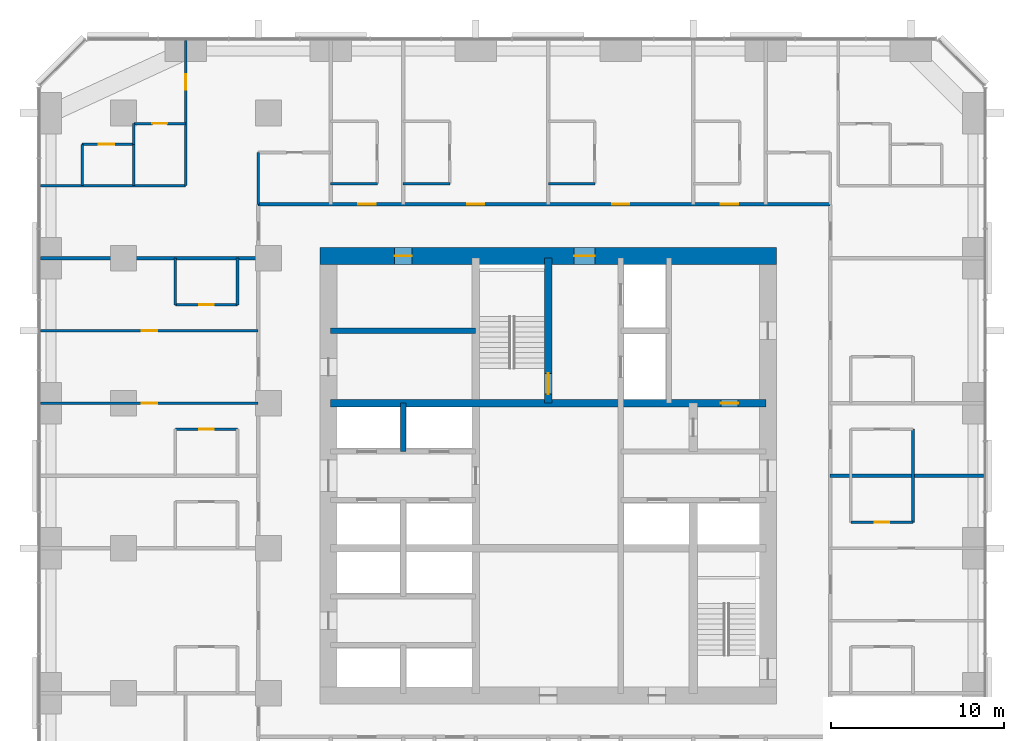
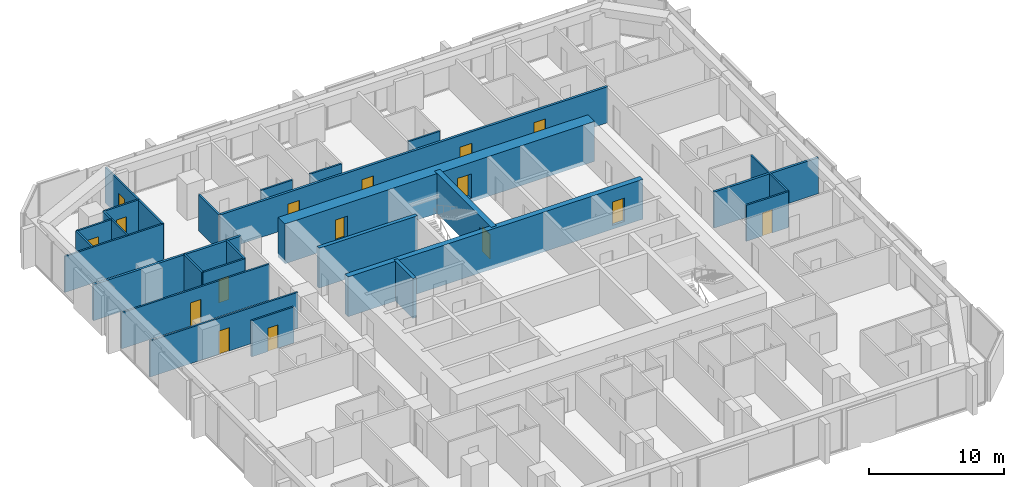
# One storey, part 11 of 14: 27 walls, 16 doors, 16 openings.
"""IFC4 building model written with IfcOpenShell, lengths in metres."""

from ifc_helpers import new_model, si_unit, direction, frame, frame_2d, origin, place, context, subcontext, project, spatial, rectangle, extrude, material, layer, layer_set, type_object, element, fill, save


model = new_model("IFC4")

# Units and contexts
model_context = context("Model", 3, precision=1e-05, world=origin(), true_north=direction((0.0, 1.0)))
body_context = subcontext(model_context, "Body", "Model", "MODEL_VIEW")
ifc_project = project(units=[si_unit("LENGTHUNIT", "METRE"), si_unit("AREAUNIT", "SQUARE_METRE"), si_unit("VOLUMEUNIT", "CUBIC_METRE"), si_unit("PLANEANGLEUNIT", "RADIAN"), si_unit("MASSUNIT", "GRAM", prefix="KILO")], contexts=[model_context])

# Site, building, storey
site_placement = place(None, origin())
site = spatial("IfcSite", under=ifc_project, at=site_placement, CompositionType="ELEMENT")
building_placement = place(site_placement, origin())
building = spatial("IfcBuilding", under=site, at=building_placement, Name="Dunama Terrace Hotel", CompositionType="ELEMENT")
storey_placement = place(building_placement, frame((0.0, 0.0, 133.199951171875)))
storey = spatial("IfcBuildingStorey", under=building, at=storey_placement, Name="L34", CompositionType="ELEMENT", Elevation=133.199951171875)

# Walls
ifc_material_1 = material(Name="Gypsum board partition", Category="masonry")
ifc_layer_1 = layer(ifc_material_1, 0.14990234375)
ifc_layer_set_1 = layer_set([ifc_layer_1], Name="Bathroom partition 150")
wall_type_1 = type_object("IfcWallType", Name="Bathroom partition 150", PredefinedType="PARTITIONING", material=ifc_layer_set_1)
wall_1_placement = place(storey_placement, frame((5.39990234375, 48.60009765625, 0.0), z_axis=(0.0, 0.0, 1.0), x_axis=(0.0, 1.0, 0.0)))
element("IfcWall", 1, at=wall_1_placement, inside=storey, type_object=wall_type_1, Name="Bathroom partition 150 L34", PredefinedType="PARTITIONING", context=body_context, shape_type="SweptSolid", body=[
    extrude(rectangle(XDim=1.199951171875, YDim=0.14990234375, at=frame_2d((0.60009765625, 0.0))), origin(), (0.0, 0.0, 1.0), 3.25),
])
for number, where, z_axis, x_axis, name in (
    (2, (7.800048828125, 39.300048828125, 0.0), (0.0, 0.0, 1.0), (0.0, 1.0, 0.0), "Bathroom partition 150 L34"),
    (3, (11.39990234375, 39.300048828125, 0.0), (0.0, 0.0, 1.0), (0.0, 1.0, 0.0), "Bathroom partition 150 L34"),
):
    element("IfcWall", number, at=place(storey_placement, frame(where, z_axis=z_axis, x_axis=x_axis)), inside=storey, type_object=wall_type_1, Name=name, PredefinedType="PARTITIONING", context=body_context, shape_type="SweptSolid", body=[
        extrude(rectangle(XDim=2.699951171875, YDim=0.14990234375, at=frame_2d((1.35009765625, 0.0))), origin(), (0.0, 0.0, 1.0), 3.25),
    ])
wall_2_placement = place(storey_placement, frame((12.60009765625, 45.125, 0.0), z_axis=(0.0, 0.0, 1.0), x_axis=(0.0, 1.0, 0.0)))
element("IfcWall", 4, at=wall_2_placement, inside=storey, type_object=wall_type_1, Name="Bathroom partition 150 L34", PredefinedType="PARTITIONING", context=body_context, shape_type="SweptSolid", body=[
    extrude(rectangle(XDim=3.0, YDim=0.14990234375, at=frame_2d((1.5, 0.0))), origin(), (0.0, 0.0, 1.0), 3.25),
])
wall_3_placement = place(storey_placement, frame((50.52490234375, 26.699951171875, 0.0), z_axis=(0.0, 0.0, 1.0), x_axis=(0.0, 1.0, 0.0)))
element("IfcWall", 5, at=wall_3_placement, inside=storey, type_object=wall_type_1, Name="Bathroom partition 150 L34", PredefinedType="PARTITIONING", context=body_context, shape_type="SweptSolid", body=[
    extrude(rectangle(XDim=5.400146484375, YDim=0.14990234375, at=frame_2d((2.7001953125, 0.0))), origin(), (0.0, 0.0, 1.0), 3.25),
])

# Wall, opening, door
wall_4_placement = place(storey_placement, frame((46.925048828125, 26.699951171875, 0.0), z_axis=(0.0, 0.0, 1.0), x_axis=(1.0, 0.0, 0.0)))
wall_4 = element("IfcWall", 6, at=wall_4_placement, inside=storey, type_object=wall_type_1, Name="Bathroom partition 150 L34", PredefinedType="PARTITIONING", context=body_context, shape_type="SweptSolid", body=[
    extrude(rectangle(XDim=3.599853515625, YDim=0.14990234375, at=frame_2d((1.7998046875, 0.0))), origin(), (0.0, 0.0, 1.0), 3.25),
])
opening_1_placement = place(wall_4_placement, frame((1.375, 0.0, 0.0)))
opening_1 = element("IfcOpeningElement", 7, at=opening_1_placement, cuts=wall_4, Name="Opening L34-36-027", PredefinedType="OPENING", context=body_context, shape_type="SweptSolid", body=[
    extrude(rectangle(XDim=0.85009765625, YDim=2.10009765625, at=frame_2d((0.425048828125, 1.050048828125))), frame((0.0, 0.0849609375, 0.0), z_axis=(0.0, -1.0, 0.0), x_axis=(1.0, 0.0, 0.0)), (0.0, 0.0, 1.0), 0.169921875),
])
ifc_material_2 = material(Name="Timber door with steel frame", Category="steel")
door_type_1 = type_object("IfcDoorType", Name="Bathroom door 850", OperationType="SINGLE_SWING_LEFT", PredefinedType="DOOR", material=ifc_material_2)
door_1_placement = place(opening_1_placement, origin())
door_1 = element("IfcDoor", 8, at=door_1_placement, inside=storey, type_object=door_type_1, Name="Door to en-suite bathroom L34-36-027, type D2", OperationType="SINGLE_SWING_LEFT", OverallHeight=2.10009765625, OverallWidth=0.85009765625, PredefinedType="DOOR", context=body_context, shape_type="SweptSolid", body=[
    extrude(rectangle(XDim=0.85009765625, YDim=2.10009765625, at=frame_2d((0.425048828125, 1.050048828125))), frame((0.0, 0.02490234375, 0.0), z_axis=(0.0, -1.0, 0.0), x_axis=(1.0, 0.0, 0.0)), (0.0, 0.0, 1.0), 0.050048828125),
])
fill(opening_1, door_1)

wall_5_placement = place(storey_placement, frame((7.800048828125, 32.10009765625, 0.0), z_axis=(0.0, 0.0, 1.0), x_axis=(1.0, 0.0, 0.0)))
wall_5 = element("IfcWall", 9, at=wall_5_placement, inside=storey, type_object=wall_type_1, Name="Bathroom partition 150 L34", PredefinedType="PARTITIONING", context=body_context, shape_type="SweptSolid", body=[
    extrude(rectangle(XDim=3.599853515625, YDim=0.14990234375, at=frame_2d((1.7998046875, 0.0))), origin(), (0.0, 0.0, 1.0), 3.25),
])
opening_2_placement = place(wall_5_placement, frame((1.375, 0.0, 0.0)))
opening_2 = element("IfcOpeningElement", 10, at=opening_2_placement, cuts=wall_5, Name="Opening L34-36-046", PredefinedType="OPENING", context=body_context, shape_type="SweptSolid", body=[
    extrude(rectangle(XDim=0.85009765625, YDim=2.10009765625, at=frame_2d((0.425048828125, 1.050048828125))), frame((0.0, 0.0849609375, 0.0), z_axis=(0.0, -1.0, 0.0), x_axis=(1.0, 0.0, 0.0)), (0.0, 0.0, 1.0), 0.169921875),
])
door_2_placement = place(opening_2_placement, frame((0.85009765625, 0.0, 0.0), z_axis=(0.0, 0.0, 1.0), x_axis=(-1.0, 0.0, 0.0)))
door_2 = element("IfcDoor", 11, at=door_2_placement, inside=storey, type_object=door_type_1, Name="Door to en-suite bathroom L34-36-046, type D2", OperationType="SINGLE_SWING_RIGHT", OverallHeight=2.10009765625, OverallWidth=0.85009765625, PredefinedType="DOOR", context=body_context, shape_type="SweptSolid", body=[
    extrude(rectangle(XDim=0.85009765625, YDim=2.10009765625, at=frame_2d((0.425048828125, 1.050048828125))), frame((0.0, 0.025146484375, 0.0), z_axis=(0.0, -1.0, 0.0), x_axis=(1.0, 0.0, 0.0)), (0.0, 0.0, 1.0), 0.050048828125),
])
fill(opening_2, door_2)

wall_6_placement = place(storey_placement, frame((7.800048828125, 39.300048828125, 0.0), z_axis=(0.0, 0.0, 1.0), x_axis=(1.0, 0.0, 0.0)))
wall_6 = element("IfcWall", 12, at=wall_6_placement, inside=storey, type_object=wall_type_1, Name="Bathroom partition 150 L34", PredefinedType="PARTITIONING", context=body_context, shape_type="SweptSolid", body=[
    extrude(rectangle(XDim=3.599853515625, YDim=0.14990234375, at=frame_2d((1.7998046875, 0.0))), origin(), (0.0, 0.0, 1.0), 3.25),
])
opening_3_placement = place(wall_6_placement, frame((1.375, 0.0, 0.0)))
opening_3 = element("IfcOpeningElement", 13, at=opening_3_placement, cuts=wall_6, Name="Opening L34-36-048", PredefinedType="OPENING", context=body_context, shape_type="SweptSolid", body=[
    extrude(rectangle(XDim=0.85009765625, YDim=2.10009765625, at=frame_2d((0.425048828125, 1.050048828125))), frame((0.0, 0.0849609375, 0.0), z_axis=(0.0, -1.0, 0.0), x_axis=(1.0, 0.0, 0.0)), (0.0, 0.0, 1.0), 0.169921875),
])
door_3_placement = place(opening_3_placement, origin())
door_3 = element("IfcDoor", 14, at=door_3_placement, inside=storey, type_object=door_type_1, Name="Door to en-suite bathroom L34-36-048, type D2", OperationType="SINGLE_SWING_LEFT", OverallHeight=2.10009765625, OverallWidth=0.85009765625, PredefinedType="DOOR", context=body_context, shape_type="SweptSolid", body=[
    extrude(rectangle(XDim=0.85009765625, YDim=2.10009765625, at=frame_2d((0.425048828125, 1.050048828125))), frame((0.0, 0.02490234375, 0.0), z_axis=(0.0, -1.0, 0.0), x_axis=(1.0, 0.0, 0.0)), (0.0, 0.0, 1.0), 0.050048828125),
])
fill(opening_3, door_3)

# Walls
for number, where, z_axis, x_axis, name in (
    (15, (16.800048828125, 46.324951171875, 0.0), (0.0, 0.0, 1.0), (1.0, 0.0, 0.0), "Bathroom partition 150 L34"),
    (16, (21.0, 46.324951171875, 0.0), (0.0, 0.0, 1.0), (1.0, 0.0, 0.0), "Bathroom partition 150 L34"),
):
    element("IfcWall", number, at=place(storey_placement, frame(where, z_axis=z_axis, x_axis=x_axis)), inside=storey, type_object=wall_type_1, Name=name, PredefinedType="PARTITIONING", context=body_context, shape_type="SweptSolid", body=[
        extrude(rectangle(XDim=2.699951171875, YDim=0.14990234375, at=frame_2d((1.35009765625, 0.0))), origin(), (0.0, 0.0, 1.0), 3.25),
    ])
wall_7_placement = place(storey_placement, frame((29.39990234375, 46.324951171875, 0.0), z_axis=(0.0, 0.0, 1.0), x_axis=(1.0, 0.0, 0.0)))
element("IfcWall", 17, at=wall_7_placement, inside=storey, type_object=wall_type_1, Name="Bathroom partition 150 L34", PredefinedType="PARTITIONING", context=body_context, shape_type="SweptSolid", body=[
    extrude(rectangle(XDim=2.7001953125, YDim=0.14990234375, at=frame_2d((1.35009765625, 0.0))), origin(), (0.0, 0.0, 1.0), 3.25),
])

# Wall, opening, door
wall_8_placement = place(storey_placement, frame((5.39990234375, 49.800048828125, 0.0), z_axis=(0.0, 0.0, 1.0), x_axis=(1.0, 0.0, 0.0)))
wall_8 = element("IfcWall", 18, at=wall_8_placement, inside=storey, type_object=wall_type_1, Name="Bathroom partition 150 L34", PredefinedType="PARTITIONING", context=body_context, shape_type="SweptSolid", body=[
    extrude(rectangle(XDim=3.0, YDim=0.14990234375, at=frame_2d((1.5, 0.0))), origin(), (0.0, 0.0, 1.0), 3.25),
])
opening_4_placement = place(wall_8_placement, frame((1.074951171875, 0.0, 0.0)))
opening_4 = element("IfcOpeningElement", 19, at=opening_4_placement, cuts=wall_8, Name="Opening L34-36-068", PredefinedType="OPENING", context=body_context, shape_type="SweptSolid", body=[
    extrude(rectangle(XDim=0.85009765625, YDim=2.10009765625, at=frame_2d((0.425048828125, 1.050048828125))), frame((0.0, 0.0849609375, 0.0), z_axis=(0.0, -1.0, 0.0), x_axis=(1.0, 0.0, 0.0)), (0.0, 0.0, 1.0), 0.169921875),
])
door_4_placement = place(opening_4_placement, frame((0.85009765625, 0.0, 0.0), z_axis=(0.0, 0.0, 1.0), x_axis=(-1.0, 0.0, 0.0)))
door_4 = element("IfcDoor", 20, at=door_4_placement, inside=storey, type_object=door_type_1, Name="Door to en-suite bathroom L34-36-068, type D2", OperationType="SINGLE_SWING_RIGHT", OverallHeight=2.10009765625, OverallWidth=0.85009765625, PredefinedType="DOOR", context=body_context, shape_type="SweptSolid", body=[
    extrude(rectangle(XDim=0.85009765625, YDim=2.10009765625, at=frame_2d((0.425048828125, 1.050048828125))), frame((0.0, 0.025146484375, 0.0), z_axis=(0.0, -1.0, 0.0), x_axis=(1.0, 0.0, 0.0)), (0.0, 0.0, 1.0), 0.050048828125),
])
fill(opening_4, door_4)

# Walls
ifc_material_3 = material(Name="Concrete C50/60", Category="concrete")
ifc_layer_2 = layer(ifc_material_3, 0.300048828125)
ifc_layer_set_2 = layer_set([ifc_layer_2], Name="Core inner wall 300")
wall_type_2 = type_object("IfcWallType", Name="Core inner wall 300", PredefinedType="SHEAR", material=ifc_layer_set_2)
wall_9_placement = place(storey_placement, frame((21.0, 30.800048828125, -0.349853515625), z_axis=(0.0, 0.0, 1.0), x_axis=(0.0, 1.0, 0.0)))
element("IfcWall", 21, at=wall_9_placement, inside=storey, type_object=wall_type_2, Name="Core inner wall 300 L34", PredefinedType="SHEAR", context=body_context, shape_type="SweptSolid", body=[
    extrude(rectangle(XDim=2.800048828125, YDim=0.300048828125, at=frame_2d((1.39990234375, 0.0))), origin(), (0.0, 0.0, 1.0), 3.599853515625),
])
wall_10_placement = place(storey_placement, frame((16.800048828125, 37.800048828125, -0.349853515625), z_axis=(0.0, 0.0, 1.0), x_axis=(1.0, 0.0, 0.0)))
element("IfcWall", 22, at=wall_10_placement, inside=storey, type_object=wall_type_2, Name="Core inner wall 300 L34", PredefinedType="SHEAR", context=body_context, shape_type="SweptSolid", body=[
    extrude(rectangle(XDim=8.39990234375, YDim=0.300048828125, at=frame_2d((4.199951171875, 0.0))), origin(), (0.0, 0.0, 1.0), 3.599853515625),
])

# Wall, opening, door
ifc_material_4 = material(Name="Concrete C50/60", Category="concrete")
ifc_layer_3 = layer(ifc_material_4, 0.449951171875)
ifc_layer_set_3 = layer_set([ifc_layer_3], Name="Core inner wall 450")
wall_type_3 = type_object("IfcWallType", Name="Core inner wall 450", PredefinedType="SHEAR", material=ifc_layer_set_3)
wall_11_placement = place(storey_placement, frame((29.39990234375, 33.60009765625, -0.349853515625), z_axis=(0.0, 0.0, 1.0), x_axis=(0.0, 1.0, 0.0)))
wall_11 = element("IfcWall", 23, at=wall_11_placement, inside=storey, type_object=wall_type_3, Name="Core inner wall 450 L34", PredefinedType="SHEAR", context=body_context, shape_type="SweptSolid", body=[
    extrude(rectangle(XDim=8.39990234375, YDim=0.449951171875, at=frame_2d((4.199951171875, 0.0))), origin(), (0.0, 0.0, 1.0), 3.599853515625),
])
opening_5_placement = place(wall_11_placement, frame((0.52490234375, 0.0, 0.35009765625)))
opening_5 = element("IfcOpeningElement", 24, at=opening_5_placement, cuts=wall_11, Name="Opening L34-36-001", PredefinedType="OPENING", context=body_context, shape_type="SweptSolid", body=[
    extrude(rectangle(XDim=1.199951171875, YDim=2.199951171875, at=frame_2d((0.60009765625, 1.10009765625))), frame((0.0, 0.23486328125, 0.0), z_axis=(0.0, -1.0, 0.0), x_axis=(1.0, 0.0, 0.0)), (0.0, 0.0, 1.0), 0.469970703125),
])
ifc_material_5 = material(Name="Timber door with steel frame", Category="steel")
door_type_2 = type_object("IfcDoorType", Name="Stair door 1200", OperationType="SINGLE_SWING_LEFT", PredefinedType="DOOR", material=ifc_material_5)
door_5_placement = place(opening_5_placement, origin())
door_5 = element("IfcDoor", 25, at=door_5_placement, inside=storey, type_object=door_type_2, Name="Stair door ST1 L34-36-001, type D5", OperationType="SINGLE_SWING_LEFT", OverallHeight=2.199951171875, OverallWidth=1.199951171875, PredefinedType="DOOR", context=body_context, shape_type="SweptSolid", body=[
    extrude(rectangle(XDim=1.199951171875, YDim=2.199951171875, at=frame_2d((0.60009765625, 1.10009765625))), frame((0.0, 0.02490234375, 0.0), z_axis=(0.0, -1.0, 0.0), x_axis=(1.0, 0.0, 0.0)), (0.0, 0.0, 1.0), 0.050048828125),
])
fill(opening_5, door_5)

wall_12_placement = place(storey_placement, frame((16.800048828125, 33.60009765625, -0.349853515625), z_axis=(0.0, 0.0, 1.0), x_axis=(1.0, 0.0, 0.0)))
wall_12 = element("IfcWall", 26, at=wall_12_placement, inside=storey, type_object=wall_type_3, Name="Core inner wall 450 L34", PredefinedType="SHEAR", context=body_context, shape_type="SweptSolid", body=[
    extrude(rectangle(XDim=25.199951171875, YDim=0.449951171875, at=frame_2d((12.60009765625, 0.0))), origin(), (0.0, 0.0, 1.0), 3.599853515625),
])
opening_6_placement = place(wall_12_placement, frame((22.60009765625, 0.0, 0.35009765625)))
opening_6 = element("IfcOpeningElement", 27, at=opening_6_placement, cuts=wall_12, Name="Opening L34-36-076", PredefinedType="OPENING", context=body_context, shape_type="SweptSolid", body=[
    extrude(rectangle(XDim=1.0, YDim=2.10009765625, at=frame_2d((0.5, 1.050048828125))), frame((0.0, 0.23486328125, 0.0), z_axis=(0.0, -1.0, 0.0), x_axis=(1.0, 0.0, 0.0)), (0.0, 0.0, 1.0), 0.469970703125),
])
ifc_material_6 = material(Name="Timber door with steel frame", Category="steel")
door_type_3 = type_object("IfcDoorType", Name="Service door 1000", OperationType="SINGLE_SWING_LEFT", PredefinedType="DOOR", material=ifc_material_6)
door_6_placement = place(opening_6_placement, frame((1.0, 0.0, 0.0), z_axis=(0.0, 0.0, 1.0), x_axis=(-1.0, 0.0, 0.0)))
door_6 = element("IfcDoor", 28, at=door_6_placement, inside=storey, type_object=door_type_3, Name="Door to housekeeping and linen store L34-36-076, type D7", OperationType="SINGLE_SWING_LEFT", OverallHeight=2.10009765625, OverallWidth=1.0, PredefinedType="DOOR", context=body_context, shape_type="SweptSolid", body=[
    extrude(rectangle(XDim=1.0, YDim=2.10009765625, at=frame_2d((0.5, 1.050048828125))), frame((0.0, 0.025146484375, 0.0), z_axis=(0.0, -1.0, 0.0), x_axis=(1.0, 0.0, 0.0)), (0.0, 0.0, 1.0), 0.050048828125),
])
fill(opening_6, door_6)

# Wall, openings, doors
ifc_material_7 = material(Name="Concrete C60/75", Category="concrete")
ifc_layer_4 = layer(ifc_material_7, 1.0)
ifc_layer_set_4 = layer_set([ifc_layer_4], Name="Core wall 1000")
wall_type_4 = type_object("IfcWallType", Name="Core wall 1000", PredefinedType="SHEAR", material=ifc_layer_set_4)
wall_13_placement = place(storey_placement, frame((42.625, 42.125, -0.349853515625), z_axis=(0.0, 0.0, 1.0), x_axis=(-1.0, 0.0, 0.0)))
wall_13 = element("IfcWall", 29, at=wall_13_placement, inside=storey, type_object=wall_type_4, Name="Core wall north L34", PredefinedType="SHEAR", context=body_context, shape_type="SweptSolid", body=[
    extrude(rectangle(XDim=26.449951171875, YDim=1.0, at=frame_2d((13.22509765625, 0.0))), origin(), (0.0, 0.0, 1.0), 3.599853515625),
])
opening_7_placement = place(wall_13_placement, frame((21.125, 0.0, 0.35009765625)))
opening_7 = element("IfcOpeningElement", 30, at=opening_7_placement, cuts=wall_13, Name="Opening L34-36-073", PredefinedType="OPENING", context=body_context, shape_type="SweptSolid", body=[
    extrude(rectangle(XDim=1.0, YDim=2.10009765625, at=frame_2d((0.5, 1.050048828125))), frame((0.0, 0.510009765625, 0.0), z_axis=(0.0, -1.0, 0.0), x_axis=(1.0, 0.0, 0.0)), (0.0, 0.0, 1.0), 1.02001953125),
])
opening_8_placement = place(wall_13_placement, frame((10.52490234375, 0.0, 0.35009765625)))
opening_8 = element("IfcOpeningElement", 31, at=opening_8_placement, cuts=wall_13, Name="Opening L34-36-078", PredefinedType="OPENING", context=body_context, shape_type="SweptSolid", body=[
    extrude(rectangle(XDim=1.199951171875, YDim=2.199951171875, at=frame_2d((0.60009765625, 1.10009765625))), frame((0.0, 0.510009765625, 0.0), z_axis=(0.0, -1.0, 0.0), x_axis=(1.0, 0.0, 0.0)), (0.0, 0.0, 1.0), 1.02001953125),
])
ifc_material_8 = material(Name="Timber door with steel frame", Category="steel")
door_type_4 = type_object("IfcDoorType", Name="Firefighting lobby door 1200", OperationType="SINGLE_SWING_LEFT", PredefinedType="DOOR", material=ifc_material_8)
door_7_placement = place(opening_8_placement, origin())
door_7 = element("IfcDoor", 32, at=door_7_placement, inside=storey, type_object=door_type_4, Name="Door to firefighting lobby L34-36-078, type D4", OperationType="SINGLE_SWING_RIGHT", OverallHeight=2.199951171875, OverallWidth=1.199951171875, PredefinedType="DOOR", context=body_context, shape_type="SweptSolid", body=[
    extrude(rectangle(XDim=1.199951171875, YDim=2.199951171875, at=frame_2d((0.60009765625, 1.10009765625))), frame((0.0, 0.02490234375, 0.0), z_axis=(0.0, -1.0, 0.0), x_axis=(1.0, 0.0, 0.0)), (0.0, 0.0, 1.0), 0.050048828125),
])
fill(opening_8, door_7)
door_8_placement = place(opening_7_placement, origin())
door_8 = element("IfcDoor", 33, at=door_8_placement, inside=storey, type_object=door_type_3, Name="Door to communications and riser room L34-36-073, type D7", OperationType="SINGLE_SWING_LEFT", OverallHeight=2.10009765625, OverallWidth=1.0, PredefinedType="DOOR", context=body_context, shape_type="SweptSolid", body=[
    extrude(rectangle(XDim=1.0, YDim=2.10009765625, at=frame_2d((0.5, 1.050048828125))), frame((0.0, 0.02490234375, 0.0), z_axis=(0.0, -1.0, 0.0), x_axis=(1.0, 0.0, 0.0)), (0.0, 0.0, 1.0), 0.050048828125),
])
fill(opening_7, door_8)

ifc_material_9 = material(Name="Concrete blockwork", Category="masonry")
ifc_layer_5 = layer(ifc_material_9, 0.199951171875)
ifc_layer_set_5 = layer_set([ifc_layer_5], Name="Corridor partition 200")
wall_type_5 = type_object("IfcWallType", Name="Corridor partition 200", PredefinedType="PARTITIONING", material=ifc_layer_set_5)
wall_14_placement = place(storey_placement, frame((12.60009765625, 45.125, 0.0), z_axis=(0.0, 0.0, 1.0), x_axis=(1.0, 0.0, 0.0)))
wall_14 = element("IfcWall", 34, at=wall_14_placement, inside=storey, type_object=wall_type_5, Name="Corridor partition 200 L34", PredefinedType="PARTITIONING", context=body_context, shape_type="SweptSolid", body=[
    extrude(rectangle(XDim=33.125, YDim=0.199951171875, at=frame_2d((16.5625, 0.0))), origin(), (0.0, 0.0, 1.0), 3.25),
])
opening_9_placement = place(wall_14_placement, frame((5.800048828125, 0.0, 0.0)))
opening_9 = element("IfcOpeningElement", 35, at=opening_9_placement, cuts=wall_14, Name="Opening L34-36-032", PredefinedType="OPENING", context=body_context, shape_type="SweptSolid", body=[
    extrude(rectangle(XDim=1.0, YDim=2.199951171875, at=frame_2d((0.5, 1.10009765625))), frame((0.0, 0.10986328125, 0.0), z_axis=(0.0, -1.0, 0.0), x_axis=(1.0, 0.0, 0.0)), (0.0, 0.0, 1.0), 0.219970703125),
])
opening_10_placement = place(wall_14_placement, frame((12.10009765625, 0.0, 0.0)))
opening_10 = element("IfcOpeningElement", 36, at=opening_10_placement, cuts=wall_14, Name="Opening L34-36-034", PredefinedType="OPENING", context=body_context, shape_type="SweptSolid", body=[
    extrude(rectangle(XDim=1.0, YDim=2.199951171875, at=frame_2d((0.5, 1.10009765625))), frame((0.0, 0.10986328125, 0.0), z_axis=(0.0, -1.0, 0.0), x_axis=(1.0, 0.0, 0.0)), (0.0, 0.0, 1.0), 0.219970703125),
])
opening_11_placement = place(wall_14_placement, frame((20.5, 0.0, 0.0)))
opening_11 = element("IfcOpeningElement", 37, at=opening_11_placement, cuts=wall_14, Name="Opening L34-36-036", PredefinedType="OPENING", context=body_context, shape_type="SweptSolid", body=[
    extrude(rectangle(XDim=1.0, YDim=2.199951171875, at=frame_2d((0.5, 1.10009765625))), frame((0.0, 0.10986328125, 0.0), z_axis=(0.0, -1.0, 0.0), x_axis=(1.0, 0.0, 0.0)), (0.0, 0.0, 1.0), 0.219970703125),
])
opening_12_placement = place(wall_14_placement, frame((26.800048828125, 0.0, 0.0)))
opening_12 = element("IfcOpeningElement", 38, at=opening_12_placement, cuts=wall_14, Name="Opening L34-36-038", PredefinedType="OPENING", context=body_context, shape_type="SweptSolid", body=[
    extrude(rectangle(XDim=1.0, YDim=2.199951171875, at=frame_2d((0.5, 1.10009765625))), frame((0.0, 0.10986328125, 0.0), z_axis=(0.0, -1.0, 0.0), x_axis=(1.0, 0.0, 0.0)), (0.0, 0.0, 1.0), 0.219970703125),
])
ifc_material_10 = material(Name="Timber door with steel frame", Category="steel")
door_type_5 = type_object("IfcDoorType", Name="Guest room door 1000", OperationType="SINGLE_SWING_LEFT", PredefinedType="DOOR", material=ifc_material_10)
door_9_placement = place(opening_9_placement, origin())
door_9 = element("IfcDoor", 39, at=door_9_placement, inside=storey, type_object=door_type_5, Name="Door to premier room L34-36-032, type D1", OperationType="SINGLE_SWING_LEFT", OverallHeight=2.199951171875, OverallWidth=1.0, PredefinedType="DOOR", context=body_context, shape_type="SweptSolid", body=[
    extrude(rectangle(XDim=1.0, YDim=2.199951171875, at=frame_2d((0.5, 1.10009765625))), frame((0.0, 0.02490234375, 0.0), z_axis=(0.0, -1.0, 0.0), x_axis=(1.0, 0.0, 0.0)), (0.0, 0.0, 1.0), 0.050048828125),
])
fill(opening_9, door_9)
door_10_placement = place(opening_10_placement, origin())
door_10 = element("IfcDoor", 40, at=door_10_placement, inside=storey, type_object=door_type_5, Name="Door to junior suite L34-36-034, type D1", OperationType="SINGLE_SWING_LEFT", OverallHeight=2.199951171875, OverallWidth=1.0, PredefinedType="DOOR", context=body_context, shape_type="SweptSolid", body=[
    extrude(rectangle(XDim=1.0, YDim=2.199951171875, at=frame_2d((0.5, 1.10009765625))), frame((0.0, 0.02490234375, 0.0), z_axis=(0.0, -1.0, 0.0), x_axis=(1.0, 0.0, 0.0)), (0.0, 0.0, 1.0), 0.050048828125),
])
fill(opening_10, door_10)
door_11_placement = place(opening_11_placement, origin())
door_11 = element("IfcDoor", 41, at=door_11_placement, inside=storey, type_object=door_type_5, Name="Door to junior suite L34-36-036, type D1", OperationType="SINGLE_SWING_LEFT", OverallHeight=2.199951171875, OverallWidth=1.0, PredefinedType="DOOR", context=body_context, shape_type="SweptSolid", body=[
    extrude(rectangle(XDim=1.0, YDim=2.199951171875, at=frame_2d((0.5, 1.10009765625))), frame((0.0, 0.02490234375, 0.0), z_axis=(0.0, -1.0, 0.0), x_axis=(1.0, 0.0, 0.0)), (0.0, 0.0, 1.0), 0.050048828125),
])
fill(opening_11, door_11)
door_12_placement = place(opening_12_placement, origin())
door_12 = element("IfcDoor", 42, at=door_12_placement, inside=storey, type_object=door_type_5, Name="Door to premier room L34-36-038, type D1", OperationType="SINGLE_SWING_LEFT", OverallHeight=2.199951171875, OverallWidth=1.0, PredefinedType="DOOR", context=body_context, shape_type="SweptSolid", body=[
    extrude(rectangle(XDim=1.0, YDim=2.199951171875, at=frame_2d((0.5, 1.10009765625))), frame((0.0, 0.02490234375, 0.0), z_axis=(0.0, -1.0, 0.0), x_axis=(1.0, 0.0, 0.0)), (0.0, 0.0, 1.0), 0.050048828125),
])
fill(opening_12, door_12)

# Walls
ifc_material_11 = material(Name="Concrete blockwork", Category="masonry")
ifc_layer_6 = layer(ifc_material_11, 0.199951171875)
ifc_layer_set_6 = layer_set([ifc_layer_6], Name="Party wall 200")
wall_type_6 = type_object("IfcWallType", Name="Party wall 200", PredefinedType="PARTITIONING", material=ifc_layer_set_6)
wall_15_placement = place(storey_placement, frame((45.72509765625, 29.39990234375, 0.0), z_axis=(0.0, 0.0, 1.0), x_axis=(1.0, 0.0, 0.0)))
element("IfcWall", 43, at=wall_15_placement, inside=storey, type_object=wall_type_6, Name="Party wall 200 L34", PredefinedType="PARTITIONING", context=body_context, shape_type="SweptSolid", body=[
    extrude(rectangle(XDim=8.892822265625, YDim=0.199951171875, at=frame_2d((4.4462890625, 0.0))), origin(), (0.0, 0.0, 1.0), 3.25),
])
wall_16_placement = place(storey_placement, frame((-0.01806640625, 42.0, 0.0), z_axis=(0.0, 0.0, 1.0), x_axis=(1.0, 0.0, 0.0)))
element("IfcWall", 44, at=wall_16_placement, inside=storey, type_object=wall_type_6, Name="Party wall 200 L34", PredefinedType="PARTITIONING", context=body_context, shape_type="SweptSolid", body=[
    extrude(rectangle(XDim=12.6181640625, YDim=0.199951171875, at=frame_2d((6.30908203125, 0.0))), origin(), (0.0, 0.0, 1.0), 3.25),
])
ifc_material_12 = material(Name="Gypsum board partition", Category="masonry")
ifc_layer_7 = layer(ifc_material_12, 0.14990234375)
ifc_layer_set_7 = layer_set([ifc_layer_7], Name="Room partition 150")
wall_type_7 = type_object("IfcWallType", Name="Room partition 150", PredefinedType="PARTITIONING", material=ifc_layer_set_7)
for number, where, z_axis, x_axis, name in (
    (45, (2.39990234375, 46.199951171875, 0.0), (0.0, 0.0, 1.0), (0.0, 1.0, 0.0), "Room partition 150 L34"),
    (46, (5.39990234375, 46.199951171875, 0.0), (0.0, 0.0, 1.0), (0.0, 1.0, 0.0), "Room partition 150 L34"),
):
    element("IfcWall", number, at=place(storey_placement, frame(where, z_axis=z_axis, x_axis=x_axis)), inside=storey, type_object=wall_type_7, Name=name, PredefinedType="PARTITIONING", context=body_context, shape_type="SweptSolid", body=[
        extrude(rectangle(XDim=2.400146484375, YDim=0.14990234375, at=frame_2d((1.2001953125, 0.0))), origin(), (0.0, 0.0, 1.0), 3.25),
    ])

# Wall, opening, door
wall_17_placement = place(storey_placement, frame((8.39990234375, 46.199951171875, 0.0), z_axis=(0.0, 0.0, 1.0), x_axis=(0.0, 1.0, 0.0)))
wall_17 = element("IfcWall", 47, at=wall_17_placement, inside=storey, type_object=wall_type_7, Name="Room partition 150 L34", PredefinedType="PARTITIONING", context=body_context, shape_type="SweptSolid", body=[
    extrude(rectangle(XDim=8.41796875, YDim=0.14990234375, at=frame_2d((4.208984375, 0.0))), origin(), (0.0, 0.0, 1.0), 3.25),
])
opening_13_placement = place(wall_17_placement, frame((5.550048828125, 0.0, 0.0)))
opening_13 = element("IfcOpeningElement", 48, at=opening_13_placement, cuts=wall_17, Name="Opening L34-36-067", PredefinedType="OPENING", context=body_context, shape_type="SweptSolid", body=[
    extrude(rectangle(XDim=0.89990234375, YDim=2.10009765625, at=frame_2d((0.449951171875, 1.050048828125))), frame((0.0, 0.0849609375, 0.0), z_axis=(0.0, -1.0, 0.0), x_axis=(1.0, 0.0, 0.0)), (0.0, 0.0, 1.0), 0.169921875),
])
ifc_material_13 = material(Name="Timber door with steel frame", Category="steel")
door_type_6 = type_object("IfcDoorType", Name="Suite internal door 900", OperationType="SINGLE_SWING_LEFT", PredefinedType="DOOR", material=ifc_material_13)
door_13_placement = place(opening_13_placement, origin())
door_13 = element("IfcDoor", 49, at=door_13_placement, inside=storey, type_object=door_type_6, Name="Door to corner suite bedroom L34-36-067, type D16", OperationType="SINGLE_SWING_RIGHT", OverallHeight=2.10009765625, OverallWidth=0.89990234375, PredefinedType="DOOR", context=body_context, shape_type="SweptSolid", body=[
    extrude(rectangle(XDim=0.89990234375, YDim=2.10009765625, at=frame_2d((0.449951171875, 1.050048828125))), frame((0.0, 0.02490234375, 0.0), z_axis=(0.0, -1.0, 0.0), x_axis=(1.0, 0.0, 0.0)), (0.0, 0.0, 1.0), 0.050048828125),
])
fill(opening_13, door_13)

wall_18_placement = place(storey_placement, frame((-0.01806640625, 33.60009765625, 0.0), z_axis=(0.0, 0.0, 1.0), x_axis=(1.0, 0.0, 0.0)))
wall_18 = element("IfcWall", 50, at=wall_18_placement, inside=storey, type_object=wall_type_7, Name="Room partition 150 L34", PredefinedType="PARTITIONING", context=body_context, shape_type="SweptSolid", body=[
    extrude(rectangle(XDim=12.6181640625, YDim=0.14990234375, at=frame_2d((6.30908203125, 0.0))), origin(), (0.0, 0.0, 1.0), 3.25),
])
opening_14_placement = place(wall_18_placement, frame((5.867919921875, 0.0, 0.0)))
opening_14 = element("IfcOpeningElement", 51, at=opening_14_placement, cuts=wall_18, Name="Opening L34-36-045", PredefinedType="OPENING", context=body_context, shape_type="SweptSolid", body=[
    extrude(rectangle(XDim=0.89990234375, YDim=2.10009765625, at=frame_2d((0.449951171875, 1.050048828125))), frame((0.0, 0.0849609375, 0.0), z_axis=(0.0, -1.0, 0.0), x_axis=(1.0, 0.0, 0.0)), (0.0, 0.0, 1.0), 0.169921875),
])
door_14_placement = place(opening_14_placement, frame((0.89990234375, 0.0, 0.0), z_axis=(0.0, 0.0, 1.0), x_axis=(-1.0, 0.0, 0.0)))
door_14 = element("IfcDoor", 52, at=door_14_placement, inside=storey, type_object=door_type_6, Name="Door to family suite bedroom L34-36-045, type D16", OperationType="SINGLE_SWING_RIGHT", OverallHeight=2.10009765625, OverallWidth=0.89990234375, PredefinedType="DOOR", context=body_context, shape_type="SweptSolid", body=[
    extrude(rectangle(XDim=0.89990234375, YDim=2.10009765625, at=frame_2d((0.449951171875, 1.050048828125))), frame((0.0, 0.025146484375, 0.0), z_axis=(0.0, -1.0, 0.0), x_axis=(1.0, 0.0, 0.0)), (0.0, 0.0, 1.0), 0.050048828125),
])
fill(opening_14, door_14)

wall_19_placement = place(storey_placement, frame((-0.01806640625, 37.800048828125, 0.0), z_axis=(0.0, 0.0, 1.0), x_axis=(1.0, 0.0, 0.0)))
wall_19 = element("IfcWall", 53, at=wall_19_placement, inside=storey, type_object=wall_type_7, Name="Room partition 150 L34", PredefinedType="PARTITIONING", context=body_context, shape_type="SweptSolid", body=[
    extrude(rectangle(XDim=12.6181640625, YDim=0.14990234375, at=frame_2d((6.30908203125, 0.0))), origin(), (0.0, 0.0, 1.0), 3.25),
])
opening_15_placement = place(wall_19_placement, frame((5.867919921875, 0.0, 0.0)))
opening_15 = element("IfcOpeningElement", 54, at=opening_15_placement, cuts=wall_19, Name="Opening L34-36-047", PredefinedType="OPENING", context=body_context, shape_type="SweptSolid", body=[
    extrude(rectangle(XDim=0.89990234375, YDim=2.10009765625, at=frame_2d((0.449951171875, 1.050048828125))), frame((0.0, 0.0849609375, 0.0), z_axis=(0.0, -1.0, 0.0), x_axis=(1.0, 0.0, 0.0)), (0.0, 0.0, 1.0), 0.169921875),
])
door_15_placement = place(opening_15_placement, origin())
door_15 = element("IfcDoor", 55, at=door_15_placement, inside=storey, type_object=door_type_6, Name="Door to family suite second bedroom L34-36-047, type D16", OperationType="SINGLE_SWING_RIGHT", OverallHeight=2.10009765625, OverallWidth=0.89990234375, PredefinedType="DOOR", context=body_context, shape_type="SweptSolid", body=[
    extrude(rectangle(XDim=0.89990234375, YDim=2.10009765625, at=frame_2d((0.449951171875, 1.050048828125))), frame((0.0, 0.02490234375, 0.0), z_axis=(0.0, -1.0, 0.0), x_axis=(1.0, 0.0, 0.0)), (0.0, 0.0, 1.0), 0.050048828125),
])
fill(opening_15, door_15)

# Wall
wall_20_placement = place(storey_placement, frame((-0.01806640625, 46.199951171875, 0.0), z_axis=(0.0, 0.0, 1.0), x_axis=(1.0, 0.0, 0.0)))
element("IfcWall", 56, at=wall_20_placement, inside=storey, type_object=wall_type_7, Name="Room partition 150 L34", PredefinedType="PARTITIONING", context=body_context, shape_type="SweptSolid", body=[
    extrude(rectangle(XDim=8.41796875, YDim=0.14990234375, at=frame_2d((4.208984375, 0.0))), origin(), (0.0, 0.0, 1.0), 3.25),
])

# Wall, opening, door
wall_21_placement = place(storey_placement, frame((2.39990234375, 48.60009765625, 0.0), z_axis=(0.0, 0.0, 1.0), x_axis=(1.0, 0.0, 0.0)))
wall_21 = element("IfcWall", 57, at=wall_21_placement, inside=storey, type_object=wall_type_7, Name="Room partition 150 L34", PredefinedType="PARTITIONING", context=body_context, shape_type="SweptSolid", body=[
    extrude(rectangle(XDim=3.0, YDim=0.14990234375, at=frame_2d((1.5, 0.0))), origin(), (0.0, 0.0, 1.0), 3.25),
])
opening_16_placement = place(wall_21_placement, frame((0.949951171875, 0.0, 0.0)))
opening_16 = element("IfcOpeningElement", 58, at=opening_16_placement, cuts=wall_21, Name="Opening L34-36-069", PredefinedType="OPENING", context=body_context, shape_type="SweptSolid", body=[
    extrude(rectangle(XDim=0.89990234375, YDim=2.10009765625, at=frame_2d((0.449951171875, 1.050048828125))), frame((0.0, 0.0849609375, 0.0), z_axis=(0.0, -1.0, 0.0), x_axis=(1.0, 0.0, 0.0)), (0.0, 0.0, 1.0), 0.169921875),
])
door_16_placement = place(opening_16_placement, frame((0.89990234375, 0.0, 0.0), z_axis=(0.0, 0.0, 1.0), x_axis=(-1.0, 0.0, 0.0)))
door_16 = element("IfcDoor", 59, at=door_16_placement, inside=storey, type_object=door_type_6, Name="Door to dressing room L34-36-069, type D16", OperationType="SINGLE_SWING_RIGHT", OverallHeight=2.10009765625, OverallWidth=0.89990234375, PredefinedType="DOOR", context=body_context, shape_type="SweptSolid", body=[
    extrude(rectangle(XDim=0.89990234375, YDim=2.10009765625, at=frame_2d((0.449951171875, 1.050048828125))), frame((0.0, 0.025146484375, 0.0), z_axis=(0.0, -1.0, 0.0), x_axis=(1.0, 0.0, 0.0)), (0.0, 0.0, 1.0), 0.050048828125),
])
fill(opening_16, door_16)

save(model, "model.ifc")
